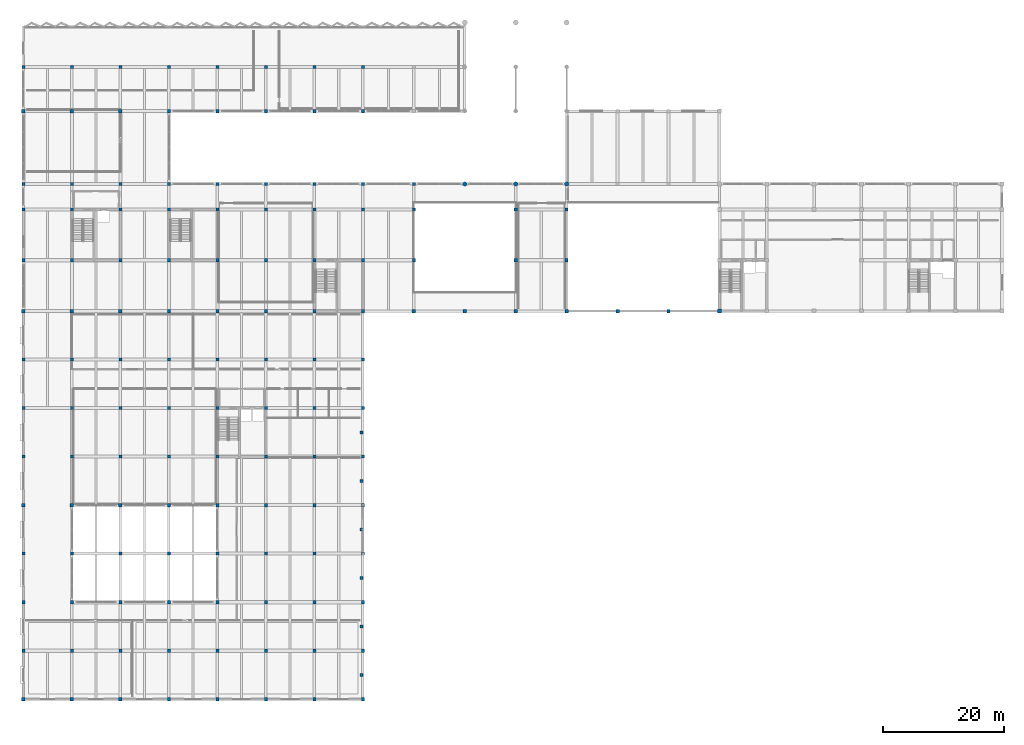
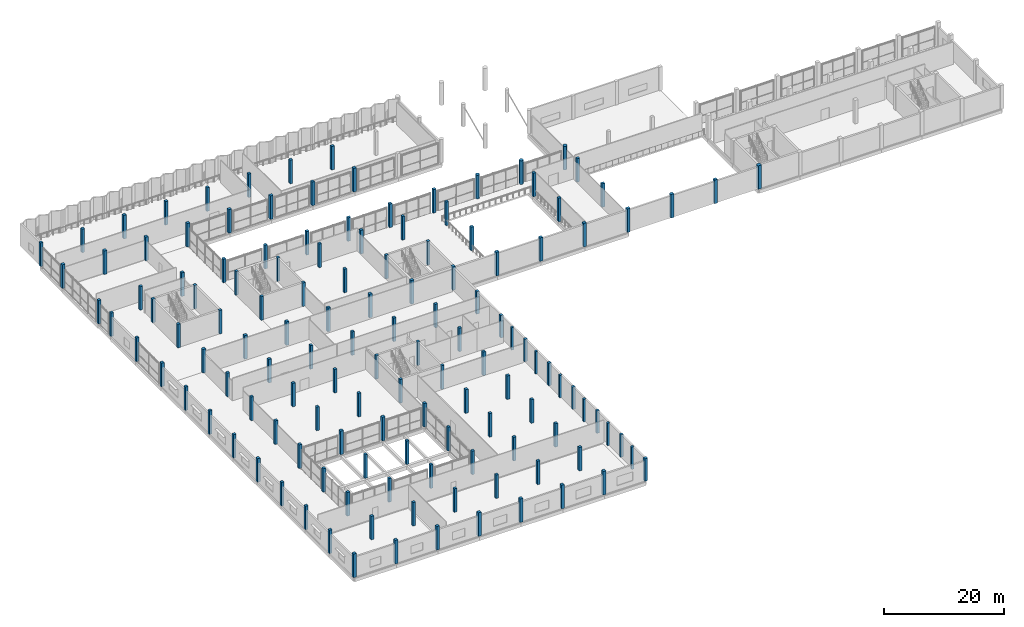
# One storey, part 1 of 47: 135 columns.
"""IFC4 building model written with IfcOpenShell, lengths in metres."""

import ifcopenshell
import ifcopenshell.guid

model = None  # the IFC model being written
_history = None  # IfcOwnerHistory: only IFC2X3 demands one
_inside = {}  # id of a spatial element -> (the spatial element, [elements in it])
_under = {}  # id of a project, library or spatial element -> (it, [spatial elements below it])
_declared = {}  # id of a project -> (the project, [libraries it declares])
_typed = {}  # id of a type object -> (the type object, [elements of that type])
_made_of = {}  # id of a material, layer set ... -> (it, [elements and type objects made of it])


def new_model(schema):
    """Start an empty IFC model of exactly this schema.

    Asked for "IFC4X3", IfcOpenShell would pick the latest addendum, in which some entities
    have other attributes; the version numbers below select the first issue.
    IFC2X3 requires an IfcOwnerHistory on every rooted entity: one is made here for all.
    """
    global model, _history
    if schema == "IFC4X3":
        model = ifcopenshell.file(schema_version=(4, 3, 0, 0))
    else:
        model = ifcopenshell.file(schema=schema)
    _inside.clear()
    _under.clear()
    _declared.clear()
    _typed.clear()
    _made_of.clear()
    _history = None
    if model.schema == "IFC2X3":
        org = make("IfcOrganization", Name="unknown")
        user = make(
            "IfcPersonAndOrganization",
            ThePerson=make("IfcPerson", FamilyName="unknown"),
            TheOrganization=org,
        )
        app = make(
            "IfcApplication",
            ApplicationDeveloper=org,
            Version="unknown",
            ApplicationFullName="unknown",
            ApplicationIdentifier="unknown",
        )
        _history = make(
            "IfcOwnerHistory",
            OwningUser=user,
            OwningApplication=app,
            ChangeAction="ADDED",
            CreationDate=0,
        )
    return model


def make(cls, **values):
    """One entity of the class cls with the attributes given. An attribute that is None is left unset."""
    return model.create_entity(
        cls, **{name: value for name, value in values.items() if value is not None}
    )


def rooted(cls, **values):
    """An entity with a GlobalId (a new one), such as an element, a storey or a relation."""
    return make(cls, GlobalId=ifcopenshell.guid.new(), OwnerHistory=_history, **values)


def si_unit(unit_type, name, prefix=None):
    """IfcSIUnit, for example si_unit("LENGTHUNIT", "METRE", prefix="MILLI")."""
    return make("IfcSIUnit", UnitType=unit_type, Prefix=prefix, Name=name)


def assignment(units):
    """IfcUnitAssignment: the units of a project."""
    return None if units is None else make("IfcUnitAssignment", Units=units)


def point(xyz):
    """IfcCartesianPoint."""
    return None if xyz is None else make("IfcCartesianPoint", Coordinates=xyz)


def direction(xyz):
    """IfcDirection."""
    return None if xyz is None else make("IfcDirection", DirectionRatios=xyz)


def frame(location, z_axis=None, x_axis=None):
    """IfcAxis2Placement3D, a coordinate frame: its origin and axes. An axis left out is left unset."""
    return make(
        "IfcAxis2Placement3D",
        Location=point(location),
        Axis=direction(z_axis),
        RefDirection=direction(x_axis),
    )


def frame_2d(location, x_axis=None):
    """IfcAxis2Placement2D, a coordinate frame in the plane: its origin and x axis."""
    return make(
        "IfcAxis2Placement2D", Location=point(location), RefDirection=direction(x_axis)
    )


def origin():
    """The frame at (0, 0, 0) with its axes left unset."""
    return frame((0.0, 0.0, 0.0))


def origin_2d():
    """The frame at (0, 0) in the plane with its x axis left unset."""
    return frame_2d((0.0, 0.0))


def place(relative_to, where):
    """IfcLocalPlacement: puts the frame where relative to a parent placement (None: the world)."""
    return make(
        "IfcLocalPlacement", PlacementRelTo=relative_to, RelativePlacement=where
    )


def context(
    kind, dimensions, precision=None, world=None, true_north=None, identifier=None
):
    """IfcGeometricRepresentationContext, for example the 3D "Model" context."""
    return make(
        "IfcGeometricRepresentationContext",
        ContextIdentifier=identifier,
        ContextType=kind,
        CoordinateSpaceDimension=dimensions,
        Precision=precision,
        WorldCoordinateSystem=world,
        TrueNorth=true_north,
    )


def subcontext(parent, identifier, kind, view, scale=None):
    """IfcGeometricRepresentationSubContext, for example "Body" below "Model"."""
    return make(
        "IfcGeometricRepresentationSubContext",
        ContextIdentifier=identifier,
        ContextType=kind,
        ParentContext=parent,
        TargetScale=scale,
        TargetView=view,
    )


def project(units=None, contexts=None):
    """IfcProject with its units and contexts."""
    return rooted(
        "IfcProject",
        Name="project",
        RepresentationContexts=contexts,
        UnitsInContext=assignment(units),
    )


def spatial(cls, under=None, at=None, **own):
    """A site, building, storey or space (cls), placed at a placement, below another one or the project."""
    s = rooted(cls, ObjectPlacement=at, **own)
    if under is not None:
        _under.setdefault(under.id(), (under, []))[1].append(s)
    return s


def profile(cls, at=None, kind="AREA", **sizes):
    """A parametric profile (cls). Its sizes go by their IFC names, for example OverallWidth=200.0."""
    return make(cls, ProfileType=kind, Position=at, **sizes)


def rectangle(**sizes):
    """IfcRectangleProfileDef."""
    return profile("IfcRectangleProfileDef", **sizes)


def circle(**sizes):
    """IfcCircleProfileDef."""
    return profile("IfcCircleProfileDef", **sizes)


def extrude(swept, where, along, depth):
    """IfcExtrudedAreaSolid: the profile swept, set in the frame where, extruded along a direction by depth."""
    return make(
        "IfcExtrudedAreaSolid",
        SweptArea=swept,
        Position=where,
        ExtrudedDirection=direction(along),
        Depth=depth,
    )


def shape(context_of_items, identifier, shape_type, items):
    """IfcShapeRepresentation: the items that make up one representation, for example the "Body"."""
    return make(
        "IfcShapeRepresentation",
        ContextOfItems=context_of_items,
        RepresentationIdentifier=identifier,
        RepresentationType=shape_type,
        Items=items,
    )


def material(Name=None, Category=None):
    """IfcMaterial."""
    return make("IfcMaterial", Name=Name, Category=Category)


def material_profile(
    of_material, cross_section, Name=None, Category=None, Priority=None
):
    """IfcMaterialProfile: a cross section and its material."""
    return make(
        "IfcMaterialProfile",
        Name=Name,
        Material=of_material,
        Profile=cross_section,
        Priority=Priority,
        Category=Category,
    )


def profile_set(profiles, Name=None, composite=None):
    """IfcMaterialProfileSet."""
    return make(
        "IfcMaterialProfileSet",
        Name=Name,
        MaterialProfiles=profiles,
        CompositeProfile=composite,
    )


def made_of(thing, what):
    """Note that an element or type object is made of a material, layer set ...; save() writes the relation."""
    if what is not None:
        _made_of.setdefault(what.id(), (what, []))[1].append(thing)
    return thing


def type_object(cls, material=None, **own):
    """A type object (cls), such as IfcWallType, which elements share."""
    return made_of(rooted(cls, **own), material)


def element(
    cls,
    number,
    at=None,
    inside=None,
    cuts=None,
    type_object=None,
    material=None,
    context=None,
    identifier="Body",
    shape_type=None,
    held_by="IfcProductDefinitionShape",
    body=None,
    shapes=None,
    **own,
):
    """One element of the class cls, such as IfcWall. Its Tag is "e" and its number.

    at: its placement. inside: the storey or other place that contains it. cuts: it is an
    opening in that element (IfcRelVoidsElement). A single representation is given by context,
    identifier, shape_type and body (its items); several are given by shapes. held_by: the class
    of the entity that holds the representations. save() writes the other relations.
    """
    e = rooted(cls, Tag="e%d" % number, ObjectPlacement=at, **own)
    if body is not None:
        shapes = [shape(context, identifier, shape_type, body)]
    if shapes is not None:
        e.Representation = make(held_by, Representations=shapes)
    if inside is not None:
        _inside.setdefault(inside.id(), (inside, []))[1].append(e)
    if cuts is not None:
        rooted(
            "IfcRelVoidsElement", RelatingBuildingElement=cuts, RelatedOpeningElement=e
        )
    if type_object is not None:
        _typed.setdefault(type_object.id(), (type_object, []))[1].append(e)
    return made_of(e, material)


def aggregate(whole, parts):
    """IfcRelAggregates: a whole, such as a stair, and the parts it consists of."""
    return rooted("IfcRelAggregates", RelatingObject=whole, RelatedObjects=parts)


def save(model, path):
    """Write the relations noted so far, then the file.

    IfcRelAggregates (storeys below a building ...), IfcRelContainedInSpatialStructure (elements
    in a storey), IfcRelDefinesByType, IfcRelAssociatesMaterial and IfcRelDeclares: one each for
    every whole, place, type object, material and project.
    """
    for whole, parts in _under.values():
        aggregate(whole, parts)
    for where, things in _inside.values():
        rooted(
            "IfcRelContainedInSpatialStructure",
            RelatedElements=things,
            RelatingStructure=where,
        )
    for kind, things in _typed.values():
        rooted("IfcRelDefinesByType", RelatedObjects=things, RelatingType=kind)
    for what, things in _made_of.values():
        rooted("IfcRelAssociatesMaterial", RelatedObjects=things, RelatingMaterial=what)
    for by, libraries in _declared.values():
        rooted("IfcRelDeclares", RelatingContext=by, RelatedDefinitions=libraries)
    model.write(path)


model = new_model("IFC4")

# Units and contexts
model_context = context("Model", 3, precision=1e-05, world=origin(), true_north=direction((0.0, 1.0)))
body_context = subcontext(model_context, "Body", "Model", "MODEL_VIEW")
ifc_project = project(units=[si_unit("LENGTHUNIT", "METRE"), si_unit("AREAUNIT", "SQUARE_METRE"), si_unit("VOLUMEUNIT", "CUBIC_METRE"), si_unit("PLANEANGLEUNIT", "RADIAN"), si_unit("MASSUNIT", "GRAM", prefix="KILO")], contexts=[model_context])

# Site, building, storey
site_placement = place(None, origin())
site = spatial("IfcSite", under=ifc_project, at=site_placement, CompositionType="ELEMENT")
building_placement = place(site_placement, origin())
building = spatial("IfcBuilding", under=site, at=building_placement, Name="Vharandega Faculty of Natural Sciences", CompositionType="ELEMENT")
storey_placement = place(building_placement, frame((0.0, 0.0, 5.39990234375)))
storey = spatial("IfcBuildingStorey", under=building, at=storey_placement, Name="L01", CompositionType="ELEMENT", Elevation=5.39990234375)

# Columns
ifc_material_1 = material(Name="Granite ashlar masonry 25 MPa", Category="masonry")
ifc_material_profile_1 = material_profile(ifc_material_1, rectangle(XDim=0.449951171875, YDim=0.449951171875, at=origin_2d()), Name="RECT 450X450")
ifc_profile_set_1 = profile_set([ifc_material_profile_1], Name="Granite ashlar masonry 25 MPa")
column_type_1 = type_object("IfcColumnType", Name="Granite Ashlar Pilaster 450x450", PredefinedType="PILASTER", material=ifc_profile_set_1)
for number, where, z_axis, x_axis, name in (
    (1, (55.77490234375, 4.0, 0.0), (0.0, 0.0, 1.0), (1.0, 0.0, 0.0), "Granite Plinth Pilaster P01 L01"),
    (2, (55.77490234375, 12.0, 0.0), (0.0, 0.0, 1.0), (1.0, 0.0, 0.0), "Granite Plinth Pilaster P02 L01"),
    (3, (55.77490234375, 20.0, 0.0), (0.0, 0.0, 1.0), (1.0, 0.0, 0.0), "Granite Plinth Pilaster P03 L01"),
    (4, (55.77490234375, 28.0, 0.0), (0.0, 0.0, 1.0), (1.0, 0.0, 0.0), "Granite Plinth Pilaster P04 L01"),
    (5, (55.77490234375, 36.0, 0.0), (0.0, 0.0, 1.0), (1.0, 0.0, 0.0), "Granite Plinth Pilaster P05 L01"),
    (6, (55.77490234375, 44.0, 0.0), (0.0, 0.0, 1.0), (1.0, 0.0, 0.0), "Granite Plinth Pilaster P06 L01"),
):
    element("IfcColumn", number, at=place(storey_placement, frame(where, z_axis=z_axis, x_axis=x_axis)), inside=storey, type_object=column_type_1, Name=name, PredefinedType="PILASTER", context=body_context, shape_type="SweptSolid", body=[
        extrude(rectangle(XDim=0.449951171875, YDim=0.449951171875, at=origin_2d()), origin(), (0.0, 0.0, 1.0), 4.56005859375),
    ])
ifc_material_2 = material(Name="Concrete C40/50", Category="concrete")
ifc_material_profile_2 = material_profile(ifc_material_2, circle(Radius=0.35009765625, at=origin_2d()), Name="RC-CIRC 700")
ifc_profile_set_2 = profile_set([ifc_material_profile_2], Name="Concrete C40/50")
column_type_2 = type_object("IfcColumnType", Name="RC Circular Column 700", PredefinedType="COLUMN", material=ifc_profile_set_2)
for number, where, z_axis, x_axis, name in (
    (7, (72.800048828125, 85.0, 0.0), (0.0, 0.0, 1.0), (1.0, 0.0, 0.0), "Column 10/M L01"),
    (8, (81.199951171875, 85.0, 0.0), (0.0, 0.0, 1.0), (1.0, 0.0, 0.0), "Column 11/M L01"),
    (9, (89.60009765625, 85.0, 0.0), (0.0, 0.0, 1.0), (1.0, 0.0, 0.0), "Column 12/M L01"),
):
    element("IfcColumn", number, at=place(storey_placement, frame(where, z_axis=z_axis, x_axis=x_axis)), inside=storey, type_object=column_type_2, Name=name, PredefinedType="COLUMN", context=body_context, shape_type="SweptSolid", body=[
        extrude(circle(Radius=0.35009765625, at=origin_2d()), origin(), (0.0, 0.0, 1.0), 4.800048828125),
    ])
ifc_material_3 = material(Name="Concrete C40/50", Category="concrete")
ifc_material_profile_3 = material_profile(ifc_material_3, rectangle(XDim=0.5, YDim=0.5, at=origin_2d()), Name="RC 500x500")
ifc_profile_set_3 = profile_set([ifc_material_profile_3], Name="Concrete C40/50")
column_type_3 = type_object("IfcColumnType", Name="RC Column 500x500", PredefinedType="COLUMN", material=ifc_profile_set_3)
for number, where, z_axis, x_axis, name in (
    (10, (0.0, 8.0, 0.0), (0.0, 0.0, 1.0), (1.0, 0.0, 0.0), "Column 1/B L01"),
    (11, (0.0, 16.0, 0.0), (0.0, 0.0, 1.0), (1.0, 0.0, 0.0), "Column 1/C L01"),
    (12, (0.0, 24.0, 0.0), (0.0, 0.0, 1.0), (1.0, 0.0, 0.0), "Column 1/D L01"),
    (13, (0.0, 40.0, 0.0), (0.0, 0.0, 1.0), (1.0, 0.0, 0.0), "Column 1/F L01"),
    (14, (0.0, 48.0, 0.0), (0.0, 0.0, 1.0), (1.0, 0.0, 0.0), "Column 1/G L01"),
    (15, (0.0, 56.0, 0.0), (0.0, 0.0, 1.0), (1.0, 0.0, 0.0), "Column 1/H L01"),
    (16, (0.0, 72.39990234375, 0.0), (0.0, 0.0, 1.0), (1.0, 0.0, 0.0), "Column 1/K L01"),
    (17, (0.0, 80.800048828125, 0.0), (0.0, 0.0, 1.0), (1.0, 0.0, 0.0), "Column 1/L L01"),
    (18, (0.0, 85.0, 0.0), (0.0, 0.0, 1.0), (1.0, 0.0, 0.0), "Column 1/M L01"),
    (19, (0.0, 104.300048828125, 0.0), (0.0, 0.0, 1.0), (1.0, 0.0, 0.0), "Column 1/P L01"),
    (20, (81.199951171875, 72.39990234375, 0.0), (0.0, 0.0, 1.0), (1.0, 0.0, 0.0), "Column 11/K L01"),
    (21, (81.199951171875, 80.800048828125, 0.0), (0.0, 0.0, 1.0), (1.0, 0.0, 0.0), "Column 11/L L01"),
    (22, (89.60009765625, 72.39990234375, 0.0), (0.0, 0.0, 1.0), (1.0, 0.0, 0.0), "Column 12/K L01"),
    (23, (89.60009765625, 80.800048828125, 0.0), (0.0, 0.0, 1.0), (1.0, 0.0, 0.0), "Column 12/L L01"),
    (24, (8.0, 8.0, 0.0), (0.0, 0.0, 1.0), (1.0, 0.0, 0.0), "Column 2/B L01"),
    (25, (8.0, 16.0, 0.0), (0.0, 0.0, 1.0), (1.0, 0.0, 0.0), "Column 2/C L01"),
    (26, (8.0, 24.0, 0.0), (0.0, 0.0, 1.0), (1.0, 0.0, 0.0), "Column 2/D L01"),
    (27, (8.0, 40.0, 0.0), (0.0, 0.0, 1.0), (1.0, 0.0, 0.0), "Column 2/F L01"),
    (28, (8.0, 48.0, 0.0), (0.0, 0.0, 1.0), (1.0, 0.0, 0.0), "Column 2/G L01"),
    (29, (8.0, 56.0, 0.0), (0.0, 0.0, 1.0), (1.0, 0.0, 0.0), "Column 2/H L01"),
    (30, (8.0, 72.39990234375, 0.0), (0.0, 0.0, 1.0), (1.0, 0.0, 0.0), "Column 2/K L01"),
    (31, (8.0, 80.800048828125, 0.0), (0.0, 0.0, 1.0), (1.0, 0.0, 0.0), "Column 2/L L01"),
    (32, (8.0, 85.0, 0.0), (0.0, 0.0, 1.0), (1.0, 0.0, 0.0), "Column 2/M L01"),
    (33, (8.0, 104.300048828125, 0.0), (0.0, 0.0, 1.0), (1.0, 0.0, 0.0), "Column 2/P L01"),
    (34, (16.0, 8.0, 0.0), (0.0, 0.0, 1.0), (1.0, 0.0, 0.0), "Column 3/B L01"),
    (35, (16.0, 16.0, 0.0), (0.0, 0.0, 1.0), (1.0, 0.0, 0.0), "Column 3/C L01"),
    (36, (16.0, 24.0, 0.0), (0.0, 0.0, 1.0), (1.0, 0.0, 0.0), "Column 3/D L01"),
    (37, (16.0, 40.0, 0.0), (0.0, 0.0, 1.0), (1.0, 0.0, 0.0), "Column 3/F L01"),
    (38, (16.0, 48.0, 0.0), (0.0, 0.0, 1.0), (1.0, 0.0, 0.0), "Column 3/G L01"),
    (39, (16.0, 56.0, 0.0), (0.0, 0.0, 1.0), (1.0, 0.0, 0.0), "Column 3/H L01"),
    (40, (16.0, 72.39990234375, 0.0), (0.0, 0.0, 1.0), (1.0, 0.0, 0.0), "Column 3/K L01"),
    (41, (16.0, 80.800048828125, 0.0), (0.0, 0.0, 1.0), (1.0, 0.0, 0.0), "Column 3/L L01"),
    (42, (16.0, 85.0, 0.0), (0.0, 0.0, 1.0), (1.0, 0.0, 0.0), "Column 3/M L01"),
    (43, (16.0, 104.300048828125, 0.0), (0.0, 0.0, 1.0), (1.0, 0.0, 0.0), "Column 3/P L01"),
    (44, (24.0, 8.0, 0.0), (0.0, 0.0, 1.0), (1.0, 0.0, 0.0), "Column 4/B L01"),
    (45, (24.0, 16.0, 0.0), (0.0, 0.0, 1.0), (1.0, 0.0, 0.0), "Column 4/C L01"),
    (46, (24.0, 24.0, 0.0), (0.0, 0.0, 1.0), (1.0, 0.0, 0.0), "Column 4/D L01"),
    (47, (24.0, 40.0, 0.0), (0.0, 0.0, 1.0), (1.0, 0.0, 0.0), "Column 4/F L01"),
    (48, (24.0, 48.0, 0.0), (0.0, 0.0, 1.0), (1.0, 0.0, 0.0), "Column 4/G L01"),
    (49, (24.0, 56.0, 0.0), (0.0, 0.0, 1.0), (1.0, 0.0, 0.0), "Column 4/H L01"),
    (50, (24.0, 72.39990234375, 0.0), (0.0, 0.0, 1.0), (1.0, 0.0, 0.0), "Column 4/K L01"),
    (51, (24.0, 80.800048828125, 0.0), (0.0, 0.0, 1.0), (1.0, 0.0, 0.0), "Column 4/L L01"),
    (52, (24.0, 85.0, 0.0), (0.0, 0.0, 1.0), (1.0, 0.0, 0.0), "Column 4/M L01"),
    (53, (24.0, 104.300048828125, 0.0), (0.0, 0.0, 1.0), (1.0, 0.0, 0.0), "Column 4/P L01"),
    (54, (32.0, 8.0, 0.0), (0.0, 0.0, 1.0), (1.0, 0.0, 0.0), "Column 5/B L01"),
    (55, (32.0, 16.0, 0.0), (0.0, 0.0, 1.0), (1.0, 0.0, 0.0), "Column 5/C L01"),
    (56, (32.0, 24.0, 0.0), (0.0, 0.0, 1.0), (1.0, 0.0, 0.0), "Column 5/D L01"),
    (57, (32.0, 40.0, 0.0), (0.0, 0.0, 1.0), (1.0, 0.0, 0.0), "Column 5/F L01"),
    (58, (32.0, 48.0, 0.0), (0.0, 0.0, 1.0), (1.0, 0.0, 0.0), "Column 5/G L01"),
    (59, (32.0, 56.0, 0.0), (0.0, 0.0, 1.0), (1.0, 0.0, 0.0), "Column 5/H L01"),
    (60, (32.0, 72.39990234375, 0.0), (0.0, 0.0, 1.0), (1.0, 0.0, 0.0), "Column 5/K L01"),
    (61, (32.0, 80.800048828125, 0.0), (0.0, 0.0, 1.0), (1.0, 0.0, 0.0), "Column 5/L L01"),
    (62, (32.0, 85.0, 0.0), (0.0, 0.0, 1.0), (1.0, 0.0, 0.0), "Column 5/M L01"),
    (63, (32.0, 104.300048828125, 0.0), (0.0, 0.0, 1.0), (1.0, 0.0, 0.0), "Column 5/P L01"),
    (64, (40.0, 8.0, 0.0), (0.0, 0.0, 1.0), (1.0, 0.0, 0.0), "Column 6/B L01"),
    (65, (40.0, 16.0, 0.0), (0.0, 0.0, 1.0), (1.0, 0.0, 0.0), "Column 6/C L01"),
    (66, (40.0, 24.0, 0.0), (0.0, 0.0, 1.0), (1.0, 0.0, 0.0), "Column 6/D L01"),
    (67, (40.0, 40.0, 0.0), (0.0, 0.0, 1.0), (1.0, 0.0, 0.0), "Column 6/F L01"),
    (68, (40.0, 48.0, 0.0), (0.0, 0.0, 1.0), (1.0, 0.0, 0.0), "Column 6/G L01"),
    (69, (40.0, 56.0, 0.0), (0.0, 0.0, 1.0), (1.0, 0.0, 0.0), "Column 6/H L01"),
    (70, (40.0, 72.39990234375, 0.0), (0.0, 0.0, 1.0), (1.0, 0.0, 0.0), "Column 6/K L01"),
    (71, (40.0, 80.800048828125, 0.0), (0.0, 0.0, 1.0), (1.0, 0.0, 0.0), "Column 6/L L01"),
    (72, (40.0, 85.0, 0.0), (0.0, 0.0, 1.0), (1.0, 0.0, 0.0), "Column 6/M L01"),
    (73, (40.0, 104.300048828125, 0.0), (0.0, 0.0, 1.0), (1.0, 0.0, 0.0), "Column 6/P L01"),
    (74, (48.0, 8.0, 0.0), (0.0, 0.0, 1.0), (1.0, 0.0, 0.0), "Column 7/B L01"),
    (75, (48.0, 16.0, 0.0), (0.0, 0.0, 1.0), (1.0, 0.0, 0.0), "Column 7/C L01"),
    (76, (48.0, 24.0, 0.0), (0.0, 0.0, 1.0), (1.0, 0.0, 0.0), "Column 7/D L01"),
    (77, (48.0, 40.0, 0.0), (0.0, 0.0, 1.0), (1.0, 0.0, 0.0), "Column 7/F L01"),
    (78, (48.0, 48.0, 0.0), (0.0, 0.0, 1.0), (1.0, 0.0, 0.0), "Column 7/G L01"),
    (79, (48.0, 56.0, 0.0), (0.0, 0.0, 1.0), (1.0, 0.0, 0.0), "Column 7/H L01"),
    (80, (48.0, 72.39990234375, 0.0), (0.0, 0.0, 1.0), (1.0, 0.0, 0.0), "Column 7/K L01"),
    (81, (48.0, 80.800048828125, 0.0), (0.0, 0.0, 1.0), (1.0, 0.0, 0.0), "Column 7/L L01"),
    (82, (48.0, 85.0, 0.0), (0.0, 0.0, 1.0), (1.0, 0.0, 0.0), "Column 7/M L01"),
    (83, (48.0, 104.300048828125, 0.0), (0.0, 0.0, 1.0), (1.0, 0.0, 0.0), "Column 7/P L01"),
):
    element("IfcColumn", number, at=place(storey_placement, frame(where, z_axis=z_axis, x_axis=x_axis)), inside=storey, type_object=column_type_3, Name=name, PredefinedType="COLUMN", context=body_context, shape_type="SweptSolid", body=[
        extrude(rectangle(XDim=0.5, YDim=0.5, at=origin_2d()), origin(), (0.0, 0.0, 1.0), 4.800048828125),
    ])
for number, where, z_axis, x_axis, name in (
    (84, (56.0, 8.0, 0.0), (0.0, 0.0, 1.0), (1.0, 0.0, 0.0), "Column 8/B L01"),
    (85, (56.0, 16.0, 0.0), (0.0, 0.0, 1.0), (1.0, 0.0, 0.0), "Column 8/C L01"),
    (86, (56.0, 24.0, 0.0), (0.0, 0.0, 1.0), (1.0, 0.0, 0.0), "Column 8/D L01"),
    (87, (56.0, 40.0, 0.0), (0.0, 0.0, 1.0), (1.0, 0.0, 0.0), "Column 8/F L01"),
    (88, (56.0, 48.0, 0.0), (0.0, 0.0, 1.0), (1.0, 0.0, 0.0), "Column 8/G L01"),
    (89, (56.0, 56.0, 0.0), (0.0, 0.0, 1.0), (1.0, 0.0, 0.0), "Column 8/H L01"),
):
    element("IfcColumn", number, at=place(storey_placement, frame(where, z_axis=z_axis, x_axis=x_axis)), inside=storey, type_object=column_type_3, Name=name, PredefinedType="COLUMN", context=body_context, shape_type="SweptSolid", body=[
        extrude(rectangle(XDim=0.5, YDim=0.5, at=origin_2d()), origin(), (0.0, 0.0, 1.0), 4.56005859375),
    ])
for number, where, z_axis, x_axis, name in (
    (90, (56.0, 72.39990234375, 0.0), (0.0, 0.0, 1.0), (1.0, 0.0, 0.0), "Column 8/K L01"),
    (91, (56.0, 80.800048828125, 0.0), (0.0, 0.0, 1.0), (1.0, 0.0, 0.0), "Column 8/L L01"),
    (92, (56.0, 85.0, 0.0), (0.0, 0.0, 1.0), (1.0, 0.0, 0.0), "Column 8/M L01"),
    (93, (56.0, 104.300048828125, 0.0), (0.0, 0.0, 1.0), (1.0, 0.0, 0.0), "Column 8/P L01"),
    (94, (64.39990234375, 72.39990234375, 0.0), (0.0, 0.0, 1.0), (1.0, 0.0, 0.0), "Column 9/K L01"),
    (95, (64.39990234375, 80.800048828125, 0.0), (0.0, 0.0, 1.0), (1.0, 0.0, 0.0), "Column 9/L L01"),
    (96, (64.39990234375, 85.0, 0.0), (0.0, 0.0, 1.0), (1.0, 0.0, 0.0), "Column 9/M L01"),
):
    element("IfcColumn", number, at=place(storey_placement, frame(where, z_axis=z_axis, x_axis=x_axis)), inside=storey, type_object=column_type_3, Name=name, PredefinedType="COLUMN", context=body_context, shape_type="SweptSolid", body=[
        extrude(rectangle(XDim=0.5, YDim=0.5, at=origin_2d()), origin(), (0.0, 0.0, 1.0), 4.800048828125),
    ])
ifc_material_4 = material(Name="Concrete C40/50", Category="concrete")
ifc_material_profile_4 = material_profile(ifc_material_4, rectangle(XDim=0.550048828125, YDim=0.550048828125, at=origin_2d()), Name="RC 550x550")
ifc_profile_set_4 = profile_set([ifc_material_profile_4], Name="Concrete C40/50")
column_type_4 = type_object("IfcColumnType", Name="RC Column 550x550", PredefinedType="COLUMN", material=ifc_profile_set_4)
for number, where, z_axis, x_axis, name in (
    (97, (0.0, 0.0, 0.0), (0.0, 0.0, 1.0), (1.0, 0.0, 0.0), "Column 1/A L01"),
    (98, (0.0, 32.0, 0.0), (0.0, 0.0, 1.0), (1.0, 0.0, 0.0), "Column 1/E L01"),
    (99, (0.0, 64.0, 0.0), (0.0, 0.0, 1.0), (1.0, 0.0, 0.0), "Column 1/J L01"),
    (100, (0.0, 97.0, 0.0), (0.0, 0.0, 1.0), (1.0, 0.0, 0.0), "Column 1/N L01"),
    (101, (72.800048828125, 64.0, 0.0), (0.0, 0.0, 1.0), (1.0, 0.0, 0.0), "Column 10/J L01"),
    (102, (81.199951171875, 64.0, 0.0), (0.0, 0.0, 1.0), (1.0, 0.0, 0.0), "Column 11/J L01"),
    (103, (89.60009765625, 64.0, 0.0), (0.0, 0.0, 1.0), (1.0, 0.0, 0.0), "Column 12/J L01"),
    (104, (98.0, 64.0, 0.0), (0.0, 0.0, 1.0), (1.0, 0.0, 0.0), "Column 13/J L01"),
    (105, (106.39990234375, 64.0, 0.0), (0.0, 0.0, 1.0), (1.0, 0.0, 0.0), "Column 14/J L01"),
    (106, (8.0, 0.0, 0.0), (0.0, 0.0, 1.0), (1.0, 0.0, 0.0), "Column 2/A L01"),
    (107, (8.0, 32.0, 0.0), (0.0, 0.0, 1.0), (1.0, 0.0, 0.0), "Column 2/E L01"),
    (108, (8.0, 64.0, 0.0), (0.0, 0.0, 1.0), (1.0, 0.0, 0.0), "Column 2/J L01"),
    (109, (8.0, 97.0, 0.0), (0.0, 0.0, 1.0), (1.0, 0.0, 0.0), "Column 2/N L01"),
    (110, (16.0, 0.0, 0.0), (0.0, 0.0, 1.0), (1.0, 0.0, 0.0), "Column 3/A L01"),
    (111, (16.0, 32.0, 0.0), (0.0, 0.0, 1.0), (1.0, 0.0, 0.0), "Column 3/E L01"),
    (112, (16.0, 64.0, 0.0), (0.0, 0.0, 1.0), (1.0, 0.0, 0.0), "Column 3/J L01"),
    (113, (16.0, 97.0, 0.0), (0.0, 0.0, 1.0), (1.0, 0.0, 0.0), "Column 3/N L01"),
    (114, (24.0, 0.0, 0.0), (0.0, 0.0, 1.0), (1.0, 0.0, 0.0), "Column 4/A L01"),
    (115, (24.0, 32.0, 0.0), (0.0, 0.0, 1.0), (1.0, 0.0, 0.0), "Column 4/E L01"),
    (116, (24.0, 64.0, 0.0), (0.0, 0.0, 1.0), (1.0, 0.0, 0.0), "Column 4/J L01"),
    (117, (24.0, 97.0, 0.0), (0.0, 0.0, 1.0), (1.0, 0.0, 0.0), "Column 4/N L01"),
    (118, (32.0, 0.0, 0.0), (0.0, 0.0, 1.0), (1.0, 0.0, 0.0), "Column 5/A L01"),
    (119, (32.0, 32.0, 0.0), (0.0, 0.0, 1.0), (1.0, 0.0, 0.0), "Column 5/E L01"),
    (120, (32.0, 64.0, 0.0), (0.0, 0.0, 1.0), (1.0, 0.0, 0.0), "Column 5/J L01"),
    (121, (32.0, 97.0, 0.0), (0.0, 0.0, 1.0), (1.0, 0.0, 0.0), "Column 5/N L01"),
    (122, (40.0, 0.0, 0.0), (0.0, 0.0, 1.0), (1.0, 0.0, 0.0), "Column 6/A L01"),
    (123, (40.0, 32.0, 0.0), (0.0, 0.0, 1.0), (1.0, 0.0, 0.0), "Column 6/E L01"),
    (124, (40.0, 64.0, 0.0), (0.0, 0.0, 1.0), (1.0, 0.0, 0.0), "Column 6/J L01"),
    (125, (40.0, 97.0, 0.0), (0.0, 0.0, 1.0), (1.0, 0.0, 0.0), "Column 6/N L01"),
    (126, (48.0, 0.0, 0.0), (0.0, 0.0, 1.0), (1.0, 0.0, 0.0), "Column 7/A L01"),
    (127, (48.0, 32.0, 0.0), (0.0, 0.0, 1.0), (1.0, 0.0, 0.0), "Column 7/E L01"),
    (128, (48.0, 64.0, 0.0), (0.0, 0.0, 1.0), (1.0, 0.0, 0.0), "Column 7/J L01"),
    (129, (48.0, 97.0, 0.0), (0.0, 0.0, 1.0), (1.0, 0.0, 0.0), "Column 7/N L01"),
):
    element("IfcColumn", number, at=place(storey_placement, frame(where, z_axis=z_axis, x_axis=x_axis)), inside=storey, type_object=column_type_4, Name=name, PredefinedType="COLUMN", context=body_context, shape_type="SweptSolid", body=[
        extrude(rectangle(XDim=0.550048828125, YDim=0.550048828125, at=origin_2d()), origin(), (0.0, 0.0, 1.0), 4.800048828125),
    ])
for number, where, z_axis, x_axis, name in (
    (130, (56.0, 0.0, 0.0), (0.0, 0.0, 1.0), (1.0, 0.0, 0.0), "Column 8/A L01"),
    (131, (56.0, 32.0, 0.0), (0.0, 0.0, 1.0), (1.0, 0.0, 0.0), "Column 8/E L01"),
):
    element("IfcColumn", number, at=place(storey_placement, frame(where, z_axis=z_axis, x_axis=x_axis)), inside=storey, type_object=column_type_4, Name=name, PredefinedType="COLUMN", context=body_context, shape_type="SweptSolid", body=[
        extrude(rectangle(XDim=0.550048828125, YDim=0.550048828125, at=origin_2d()), origin(), (0.0, 0.0, 1.0), 4.56005859375),
    ])
for number, where, z_axis, x_axis, name in (
    (132, (56.0, 64.0, 0.0), (0.0, 0.0, 1.0), (1.0, 0.0, 0.0), "Column 8/J L01"),
    (133, (56.0, 97.0, 0.0), (0.0, 0.0, 1.0), (1.0, 0.0, 0.0), "Column 8/N L01"),
    (134, (64.39990234375, 64.0, 0.0), (0.0, 0.0, 1.0), (1.0, 0.0, 0.0), "Column 9/J L01"),
):
    element("IfcColumn", number, at=place(storey_placement, frame(where, z_axis=z_axis, x_axis=x_axis)), inside=storey, type_object=column_type_4, Name=name, PredefinedType="COLUMN", context=body_context, shape_type="SweptSolid", body=[
        extrude(rectangle(XDim=0.550048828125, YDim=0.550048828125, at=origin_2d()), origin(), (0.0, 0.0, 1.0), 4.800048828125),
    ])
ifc_material_5 = material(Name="Concrete C40/50", Category="concrete")
ifc_material_profile_5 = material_profile(ifc_material_5, rectangle(XDim=0.64990234375, YDim=0.64990234375, at=origin_2d()), Name="RC 650x650")
ifc_profile_set_5 = profile_set([ifc_material_profile_5], Name="Concrete C40/50")
column_type_5 = type_object("IfcColumnType", Name="RC Column 650x650", PredefinedType="COLUMN", material=ifc_profile_set_5)
column_placement = place(storey_placement, frame((114.800048828125, 64.0, 0.0), z_axis=(0.0, 0.0, 1.0), x_axis=(1.0, 0.0, 0.0)))
element("IfcColumn", 135, at=column_placement, inside=storey, type_object=column_type_5, Name="Column 15/J L01", PredefinedType="COLUMN", context=body_context, shape_type="SweptSolid", body=[
    extrude(rectangle(XDim=0.64990234375, YDim=0.64990234375, at=origin_2d()), origin(), (0.0, 0.0, 1.0), 4.800048828125),
])

save(model, "model.ifc")
